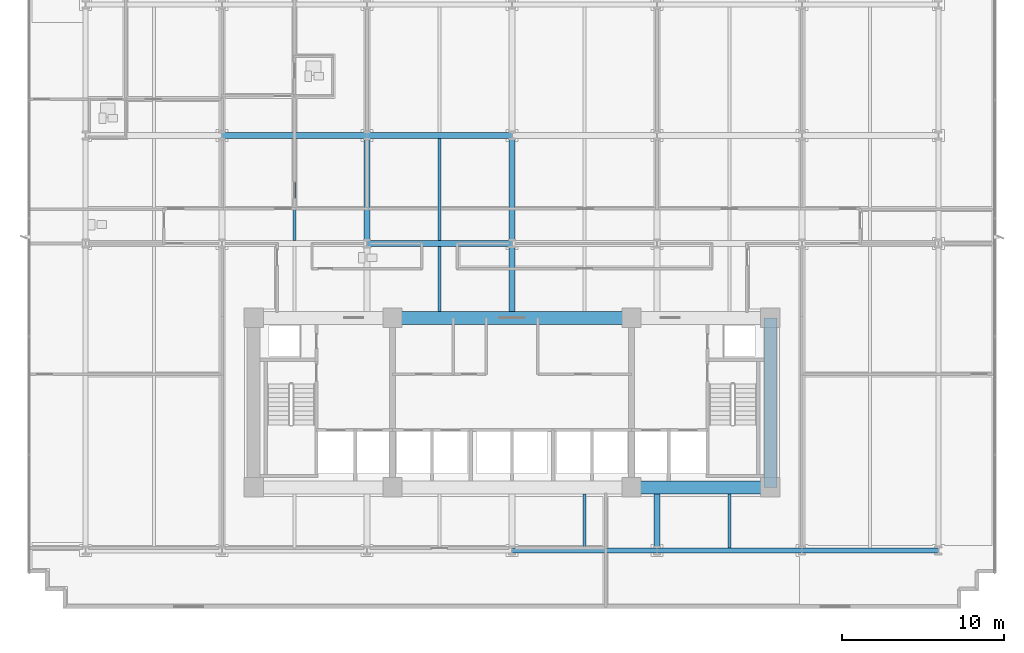
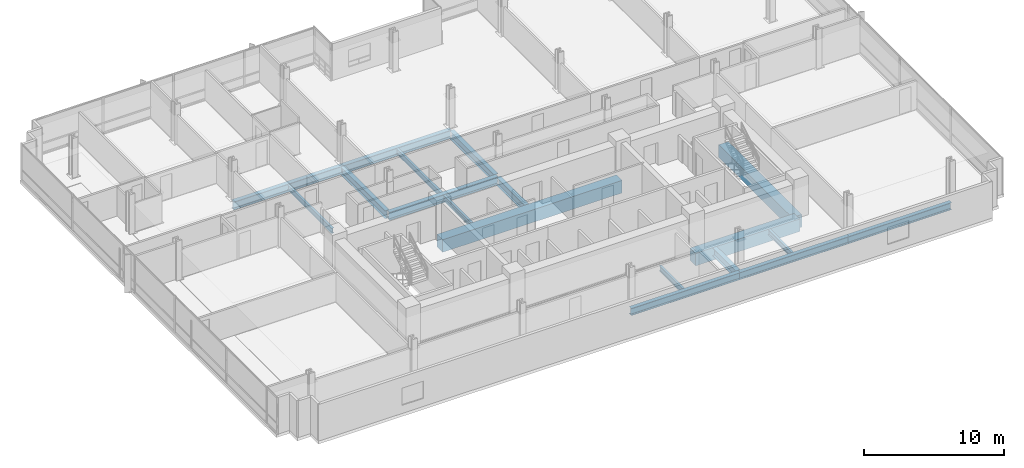
# One storey, part 5 of 20: 18 beams.
"""IFC4 building model written with IfcOpenShell, lengths in metres."""

from ifc_helpers import new_model, si_unit, direction, frame, origin, origin_2d, place, context, subcontext, project, spatial, rectangle, i_section, extrude, material, material_profile, profile_set, type_object, element, save


model = new_model("IFC4")

# Units and contexts
model_context = context("Model", 3, precision=1e-05, world=origin(), true_north=direction((0.0, 1.0)))
body_context = subcontext(model_context, "Body", "Model", "MODEL_VIEW")
ifc_project = project(units=[si_unit("LENGTHUNIT", "METRE"), si_unit("AREAUNIT", "SQUARE_METRE"), si_unit("VOLUMEUNIT", "CUBIC_METRE"), si_unit("PLANEANGLEUNIT", "RADIAN"), si_unit("MASSUNIT", "GRAM", prefix="KILO")], contexts=[model_context])

# Site, building, storey
site_placement = place(None, origin())
site = spatial("IfcSite", under=ifc_project, at=site_placement, CompositionType="ELEMENT")
building_placement = place(site_placement, origin())
building = spatial("IfcBuilding", under=site, at=building_placement, Name="Solmavex Isthmus Hotel", CompositionType="ELEMENT")
storey_placement = place(building_placement, frame((0.0, 0.0, 57.449951171875)))
storey = spatial("IfcBuildingStorey", under=building, at=storey_placement, Name="L15", CompositionType="ELEMENT", Elevation=57.449951171875)

# Beams
ifc_material_1 = material(Name="Steel ASTM A992 Grade 50", Category="steel")
ifc_material_profile_1 = material_profile(ifc_material_1, i_section(OverallWidth=0.354736328125, OverallDepth=0.695556640625, WebThickness=0.015380859375, FlangeThickness=0.02490234375, FilletRadius=0.017822265625, at=origin_2d()), Name="W27X146")
ifc_profile_set_1 = profile_set([ifc_material_profile_1], Name="Steel ASTM A992 Grade 50")
beam_type_1 = type_object("IfcBeamType", Name="BM-BG-W27X146", PredefinedType="BEAM", material=ifc_profile_set_1)
beam_1_placement = place(storey_placement, frame((-8.97607421875, 2.10009765625, -0.607666015625), z_axis=(1.0, 0.0, 0.0), x_axis=(0.0, 1.0, 0.0)))
element("IfcBeam", 1, at=beam_1_placement, inside=storey, type_object=beam_type_1, Name="Floor Girder L15-UG09", PredefinedType="BEAM", context=body_context, shape_type="SweptSolid", body=[
    extrude(i_section(OverallWidth=0.354736328125, OverallDepth=0.695556640625, WebThickness=0.015380859375, FlangeThickness=0.02490234375, FilletRadius=0.017822265625, at=origin_2d()), origin(), (0.0, 0.0, 1.0), 8.97607421875),
])
beam_2_placement = place(storey_placement, frame((-17.951904296875, 8.7880859375, -0.607666015625), z_axis=(1.0, 0.0, 0.0), x_axis=(0.0, 1.0, 0.0)))
element("IfcBeam", 2, at=beam_2_placement, inside=storey, type_object=beam_type_1, Name="Floor Girder L15-UG14", PredefinedType="BEAM", context=body_context, shape_type="SweptSolid", body=[
    extrude(i_section(OverallWidth=0.354736328125, OverallDepth=0.695556640625, WebThickness=0.015380859375, FlangeThickness=0.02490234375, FilletRadius=0.017822265625, at=origin_2d()), origin(), (0.0, 0.0, 1.0), 8.975830078125),
])
beam_3_placement = place(storey_placement, frame((-8.97607421875, 8.7880859375, -0.607666015625), z_axis=(1.0, 0.0, 0.0), x_axis=(0.0, 1.0, 0.0)))
element("IfcBeam", 3, at=beam_3_placement, inside=storey, type_object=beam_type_1, Name="Floor Girder L15-UG15", PredefinedType="BEAM", context=body_context, shape_type="SweptSolid", body=[
    extrude(i_section(OverallWidth=0.354736328125, OverallDepth=0.695556640625, WebThickness=0.015380859375, FlangeThickness=0.02490234375, FilletRadius=0.017822265625, at=origin_2d()), origin(), (0.0, 0.0, 1.0), 8.97607421875),
])
beam_4_placement = place(storey_placement, frame((-8.97607421875, 2.27734375, -0.607666015625), z_axis=(0.0, 1.0, 0.0), x_axis=(-1.0, 0.0, 0.0)))
element("IfcBeam", 4, at=beam_4_placement, inside=storey, type_object=beam_type_1, Name="Floor Beam L15-VG33", PredefinedType="BEAM", context=body_context, shape_type="SweptSolid", body=[
    extrude(i_section(OverallWidth=0.354736328125, OverallDepth=0.695556640625, WebThickness=0.015380859375, FlangeThickness=0.02490234375, FilletRadius=0.017822265625, at=origin_2d()), origin(), (0.0, 0.0, 1.0), 6.333251953125),
])
beam_5_placement = place(storey_placement, frame((0.0, -2.10009765625, -0.607666015625), z_axis=(0.0, 1.0, 0.0), x_axis=(-1.0, 0.0, 0.0)))
element("IfcBeam", 5, at=beam_5_placement, inside=storey, type_object=beam_type_1, Name="Floor Beam L15-VG36", PredefinedType="BEAM", context=body_context, shape_type="SweptSolid", body=[
    extrude(i_section(OverallWidth=0.354736328125, OverallDepth=0.695556640625, WebThickness=0.015380859375, FlangeThickness=0.02490234375, FilletRadius=0.017822265625, at=origin_2d()), origin(), (0.0, 0.0, 1.0), 4.022705078125),
])
beam_6_placement = place(storey_placement, frame((0.0, 2.27734375, -0.607666015625), z_axis=(0.0, 1.0, 0.0), x_axis=(-1.0, 0.0, 0.0)))
element("IfcBeam", 6, at=beam_6_placement, inside=storey, type_object=beam_type_1, Name="Floor Beam L15-VG37", PredefinedType="BEAM", context=body_context, shape_type="SweptSolid", body=[
    extrude(i_section(OverallWidth=0.354736328125, OverallDepth=0.695556640625, WebThickness=0.015380859375, FlangeThickness=0.02490234375, FilletRadius=0.017822265625, at=origin_2d()), origin(), (0.0, 0.0, 1.0), 6.333251953125),
])
beam_7_placement = place(storey_placement, frame((8.97607421875, -16.73681640625, -0.607666015625), z_axis=(0.0, 1.0, 0.0), x_axis=(-1.0, 0.0, 0.0)))
element("IfcBeam", 7, at=beam_7_placement, inside=storey, type_object=beam_type_1, Name="Floor Beam L15-VG39", PredefinedType="BEAM", context=body_context, shape_type="SweptSolid", body=[
    extrude(i_section(OverallWidth=0.354736328125, OverallDepth=0.695556640625, WebThickness=0.015380859375, FlangeThickness=0.02490234375, FilletRadius=0.017822265625, at=origin_2d()), origin(), (0.0, 0.0, 1.0), 3.3369140625),
])
ifc_material_profile_2 = material_profile(ifc_material_1, i_section(OverallWidth=0.1904296875, OverallDepth=0.456787109375, WebThickness=0.009033203125, FlangeThickness=0.014404296875, FilletRadius=0.0126953125, at=origin_2d()), Name="W18X50")
ifc_profile_set_2 = profile_set([ifc_material_profile_2], Name="Steel ASTM A992 Grade 50")
beam_type_2 = type_object("IfcBeamType", Name="BM-BJ-W18X50", PredefinedType="JOIST", material=ifc_profile_set_2)
beam_8_placement = place(storey_placement, frame((-13.464111328125, 2.27734375, -0.48828125), z_axis=(0.0, 1.0, 0.0), x_axis=(-1.0, 0.0, 0.0)))
element("IfcBeam", 8, at=beam_8_placement, inside=storey, type_object=beam_type_2, Name="Secondary Floor Joist L15-J06", PredefinedType="JOIST", context=body_context, shape_type="SweptSolid", body=[
    extrude(i_section(OverallWidth=0.1904296875, OverallDepth=0.456787109375, WebThickness=0.009033203125, FlangeThickness=0.014404296875, FilletRadius=0.0126953125, at=origin_2d()), origin(), (0.0, 0.0, 1.0), 6.333251953125),
])
beam_9_placement = place(storey_placement, frame((-4.488037109375, -2.10009765625, -0.48828125), z_axis=(0.0, 1.0, 0.0), x_axis=(-1.0, 0.0, 0.0)))
element("IfcBeam", 9, at=beam_9_placement, inside=storey, type_object=beam_type_2, Name="Secondary Floor Joist L15-J09", PredefinedType="JOIST", context=body_context, shape_type="SweptSolid", body=[
    extrude(i_section(OverallWidth=0.1904296875, OverallDepth=0.456787109375, WebThickness=0.009033203125, FlangeThickness=0.014404296875, FilletRadius=0.0126953125, at=origin_2d()), origin(), (0.0, 0.0, 1.0), 4.022705078125),
])
beam_10_placement = place(storey_placement, frame((-4.488037109375, 2.27734375, -0.48828125), z_axis=(0.0, 1.0, 0.0), x_axis=(-1.0, 0.0, 0.0)))
element("IfcBeam", 10, at=beam_10_placement, inside=storey, type_object=beam_type_2, Name="Secondary Floor Joist L15-J10", PredefinedType="JOIST", context=body_context, shape_type="SweptSolid", body=[
    extrude(i_section(OverallWidth=0.1904296875, OverallDepth=0.456787109375, WebThickness=0.009033203125, FlangeThickness=0.014404296875, FilletRadius=0.0126953125, at=origin_2d()), origin(), (0.0, 0.0, 1.0), 6.333251953125),
])
for number, where, z_axis, x_axis, name in (
    (11, (4.488037109375, -16.73681640625, -0.48828125), (0.0, 1.0, 0.0), (-1.0, 0.0, 0.0), "Secondary Floor Joist L15-J12"),
    (12, (13.464111328125, -16.73681640625, -0.48828125), (0.0, 1.0, 0.0), (-1.0, 0.0, 0.0), "Secondary Floor Joist L15-J16"),
):
    element("IfcBeam", number, at=place(storey_placement, frame(where, z_axis=z_axis, x_axis=x_axis)), inside=storey, type_object=beam_type_2, Name=name, PredefinedType="JOIST", context=body_context, shape_type="SweptSolid", body=[
        extrude(i_section(OverallWidth=0.1904296875, OverallDepth=0.456787109375, WebThickness=0.009033203125, FlangeThickness=0.014404296875, FilletRadius=0.0126953125, at=origin_2d()), origin(), (0.0, 0.0, 1.0), 3.3369140625),
    ])
ifc_material_2 = material(Name="Concrete C70/85", Category="concrete")
ifc_material_profile_3 = material_profile(ifc_material_2, rectangle(XDim=0.800048828125, YDim=1.10009765625, at=origin_2d()), Name="RC800X1100")
ifc_profile_set_3 = profile_set([ifc_material_profile_3], Name="Concrete C70/85")
beam_type_3 = type_object("IfcBeamType", Name="BM-CB-800X1100", PredefinedType="BEAM", material=ifc_profile_set_3)
beam_11_placement = place(storey_placement, frame((7.39990234375, -13.0, -0.81005859375), z_axis=(1.0, 0.0, 0.0), x_axis=(0.0, 1.0, 0.0)))
element("IfcBeam", 13, at=beam_11_placement, inside=storey, type_object=beam_type_3, Name="Core Coupling Beam L15-CB3", PredefinedType="BEAM", context=body_context, shape_type="SweptSolid", body=[
    extrude(rectangle(XDim=0.800048828125, YDim=1.10009765625, at=origin_2d()), origin(), (0.0, 0.0, 1.0), 8.60009765625),
])
beam_12_placement = place(storey_placement, frame((-7.39990234375, -2.5, -0.81005859375), z_axis=(1.0, 0.0, 0.0), x_axis=(0.0, 1.0, 0.0)))
element("IfcBeam", 14, at=beam_12_placement, inside=storey, type_object=beam_type_3, Name="Core Coupling Beam L15-CB5", PredefinedType="BEAM", context=body_context, shape_type="SweptSolid", body=[
    extrude(rectangle(XDim=0.800048828125, YDim=1.10009765625, at=origin_2d()), origin(), (0.0, 0.0, 1.0), 14.7998046875),
])
beam_13_placement = place(storey_placement, frame((16.0, -13.0, -0.81005859375), z_axis=(0.0, 1.0, 0.0), x_axis=(-1.0, 0.0, 0.0)))
element("IfcBeam", 15, at=beam_13_placement, inside=storey, type_object=beam_type_3, Name="Core Coupling Beam L15-CB8", PredefinedType="BEAM", context=body_context, shape_type="SweptSolid", body=[
    extrude(rectangle(XDim=0.800048828125, YDim=1.10009765625, at=origin_2d()), origin(), (0.0, 0.0, 1.0), 10.5),
])
ifc_material_profile_4 = material_profile(ifc_material_1, i_section(OverallWidth=0.326416015625, OverallDepth=0.621826171875, WebThickness=0.015380859375, FlangeThickness=0.0244140625, FilletRadius=0.01513671875, at=origin_2d()), Name="W24X131")
ifc_profile_set_4 = profile_set([ifc_material_profile_4], Name="Steel ASTM A992 Grade 50")
beam_type_4 = type_object("IfcBeamType", Name="BM-SP-W24X131", PredefinedType="SPANDREL", material=ifc_profile_set_4)
beam_14_placement = place(storey_placement, frame((0.0, -16.89990234375, -0.57080078125), z_axis=(1.0, 0.0, 0.0), x_axis=(0.0, 1.0, 0.0)))
element("IfcBeam", 16, at=beam_14_placement, inside=storey, type_object=beam_type_4, Name="Floor Girder L15-UG04", PredefinedType="SPANDREL", context=body_context, shape_type="SweptSolid", body=[
    extrude(i_section(OverallWidth=0.326416015625, OverallDepth=0.621826171875, WebThickness=0.015380859375, FlangeThickness=0.0244140625, FilletRadius=0.01513671875, at=origin_2d()), origin(), (0.0, 0.0, 1.0), 8.97607421875),
])
beam_15_placement = place(storey_placement, frame((8.97607421875, -16.89990234375, -0.57080078125), z_axis=(1.0, 0.0, 0.0), x_axis=(0.0, 1.0, 0.0)))
element("IfcBeam", 17, at=beam_15_placement, inside=storey, type_object=beam_type_4, Name="Floor Girder L15-UG05", PredefinedType="SPANDREL", context=body_context, shape_type="SweptSolid", body=[
    extrude(i_section(OverallWidth=0.326416015625, OverallDepth=0.621826171875, WebThickness=0.015380859375, FlangeThickness=0.0244140625, FilletRadius=0.01513671875, at=origin_2d()), origin(), (0.0, 0.0, 1.0), 8.975830078125),
])
beam_16_placement = place(storey_placement, frame((17.951904296875, -16.89990234375, -0.57080078125), z_axis=(1.0, 0.0, 0.0), x_axis=(0.0, 1.0, 0.0)))
element("IfcBeam", 18, at=beam_16_placement, inside=storey, type_object=beam_type_4, Name="Floor Girder L15-UG06", PredefinedType="SPANDREL", context=body_context, shape_type="SweptSolid", body=[
    extrude(i_section(OverallWidth=0.326416015625, OverallDepth=0.621826171875, WebThickness=0.015380859375, FlangeThickness=0.0244140625, FilletRadius=0.01513671875, at=origin_2d()), origin(), (0.0, 0.0, 1.0), 8.447998046875),
])

save(model, "model.ifc")
